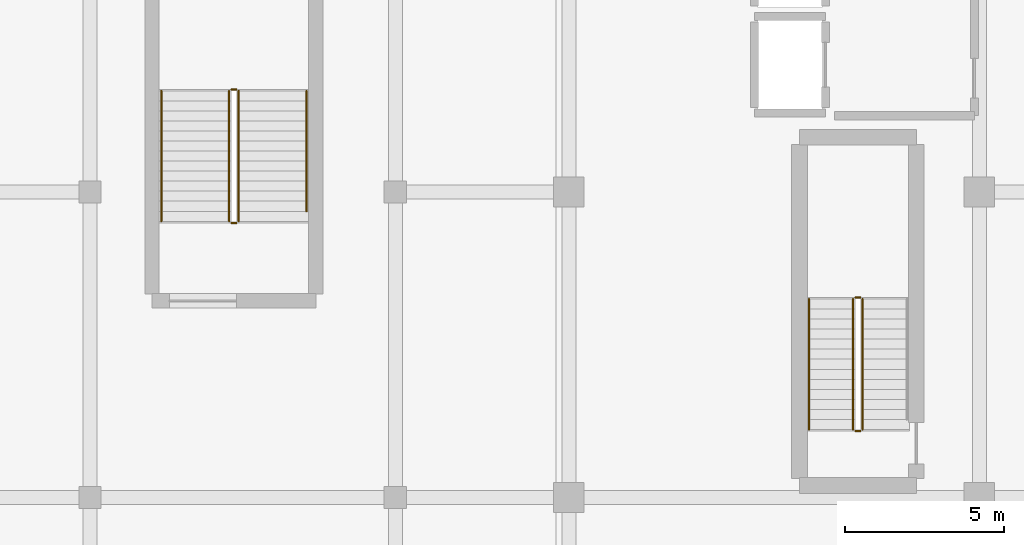
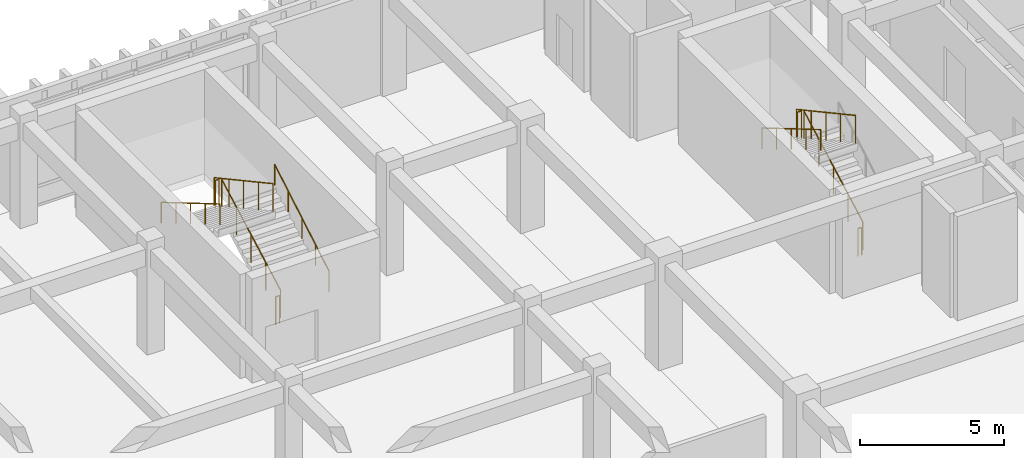
# One storey, part 130 of 133: 11 railings.
"""IFC4 building model written with IfcOpenShell, lengths in metres."""

from ifc_helpers import new_model, si_unit, direction, frame, origin, origin_2d, place, context, subcontext, project, spatial, circle, extrude, material, type_object, element, save


model = new_model("IFC4")

# Units and contexts
model_context = context("Model", 3, precision=1e-05, world=origin(), true_north=direction((0.0, 1.0)))
body_context = subcontext(model_context, "Body", "Model", "MODEL_VIEW")
ifc_project = project(units=[si_unit("LENGTHUNIT", "METRE"), si_unit("AREAUNIT", "SQUARE_METRE"), si_unit("VOLUMEUNIT", "CUBIC_METRE"), si_unit("PLANEANGLEUNIT", "RADIAN"), si_unit("MASSUNIT", "GRAM", prefix="KILO")], contexts=[model_context])

# Site, building, storey
site_placement = place(None, origin())
site = spatial("IfcSite", under=ifc_project, at=site_placement, CompositionType="ELEMENT")
building_placement = place(site_placement, origin())
building = spatial("IfcBuilding", under=site, at=building_placement, Name="Nakhvara Creek Congress Hotel", CompositionType="ELEMENT")
storey_placement = place(building_placement, frame((0.0, 0.0, 11.39990234375)))
storey = spatial("IfcBuildingStorey", under=building, at=storey_placement, Name="L02", CompositionType="ELEMENT", Elevation=11.39990234375)

# Railings
ifc_material = material(Name="Brushed stainless steel 316L", Category="steel")
railing_type_1 = type_object("IfcRailingType", Name="RL-GUARD-1200", PredefinedType="GUARDRAIL", material=ifc_material)
railing_1_placement = place(storey_placement, frame((158.68505859375, 78.93994140625, 0.171630859375)))
element("IfcRailing", 1, at=railing_1_placement, inside=storey, type_object=railing_type_1, Name="L02 ST01 stair guard 1", PredefinedType="GUARDRAIL", context=body_context, shape_type="SweptSolid", body=[
    extrude(circle(Radius=0.02392578125, at=origin_2d()), frame((0.0, 0.012939453125, 1.182861328125), z_axis=(0.0, 0.878355465225, 0.478008029963), x_axis=(-1.0, 0.0, 0.0)), (0.0, 0.0, 1.0), 4.6328125),
    extrude(circle(Radius=0.02099609375, at=origin_2d()), origin(), (0.0, 0.0, 1.0), 1.1806640625),
    extrude(circle(Radius=0.02099609375, at=origin_2d()), frame((0.0, 1.023681640625, 0.55712890625)), (0.0, 0.0, 1.0), 1.1806640625),
    extrude(circle(Radius=0.02099609375, at=origin_2d()), frame((0.0, 2.04736328125, 1.1142578125)), (0.0, 0.0, 1.0), 1.1806640625),
    extrude(circle(Radius=0.02099609375, at=origin_2d()), frame((0.0, 3.0712890625, 1.67138671875)), (0.0, 0.0, 1.0), 1.1806640625),
    extrude(circle(Radius=0.02099609375, at=origin_2d()), frame((0.0, 4.094970703125, 2.228515625)), (0.0, 0.0, 1.0), 1.1806640625),
])
railing_2_placement = place(storey_placement, frame((158.610107421875, 83.0849609375, 2.400146484375)))
element("IfcRailing", 2, at=railing_2_placement, inside=storey, type_object=railing_type_1, Name="L02 ST01 stair guard 2", PredefinedType="GUARDRAIL", context=body_context, shape_type="SweptSolid", body=[
    extrude(circle(Radius=0.02392578125, at=origin_2d()), frame((-0.0146484375, 0.0, 1.17578125), z_axis=(-1.0, 0.0, 0.0), x_axis=(0.0, -1.0, 0.0)), (0.0, 0.0, 1.0), 0.120849609375),
    extrude(circle(Radius=0.02099609375, at=origin_2d()), origin(), (0.0, 0.0, 1.0), 1.1806640625),
    extrude(circle(Radius=0.02099609375, at=origin_2d()), frame((-0.150146484375, 0.0, 0.0)), (0.0, 0.0, 1.0), 1.1806640625),
])
railing_3_placement = place(storey_placement, frame((158.385009765625, 83.034912109375, 2.571533203125)))
element("IfcRailing", 3, at=railing_3_placement, inside=storey, type_object=railing_type_1, Name="L02 ST01 stair guard 3", PredefinedType="GUARDRAIL", context=body_context, shape_type="SweptSolid", body=[
    extrude(circle(Radius=0.02392578125, at=origin_2d()), frame((0.0, -0.012939453125, 1.182861328125), z_axis=(0.0, -0.878355465225, 0.478008029963), x_axis=(1.0, 0.0, 0.0)), (0.0, 0.0, 1.0), 4.6328125),
    extrude(circle(Radius=0.02099609375, at=origin_2d()), origin(), (0.0, 0.0, 1.0), 1.1806640625),
    extrude(circle(Radius=0.02099609375, at=origin_2d()), frame((0.0, -1.023681640625, 0.55712890625)), (0.0, 0.0, 1.0), 1.1806640625),
    extrude(circle(Radius=0.02099609375, at=origin_2d()), frame((0.0, -2.04736328125, 1.1142578125)), (0.0, 0.0, 1.0), 1.1806640625),
    extrude(circle(Radius=0.02099609375, at=origin_2d()), frame((0.0, -3.0712890625, 1.67138671875)), (0.0, 0.0, 1.0), 1.1806640625),
    extrude(circle(Radius=0.02099609375, at=origin_2d()), frame((0.0, -4.094970703125, 2.228515625)), (0.0, 0.0, 1.0), 1.1806640625),
])
railing_4_placement = place(storey_placement, frame((158.610107421875, 78.889892578125, 0.0)))
element("IfcRailing", 4, at=railing_4_placement, inside=storey, type_object=railing_type_1, Name="L02 ST01 stair guard 4", PredefinedType="GUARDRAIL", context=body_context, shape_type="SweptSolid", body=[
    extrude(circle(Radius=0.02392578125, at=origin_2d()), frame((-0.0146484375, 0.0, 1.17578125), z_axis=(-1.0, 0.0, 0.0), x_axis=(0.0, -1.0, 0.0)), (0.0, 0.0, 1.0), 0.120849609375),
    extrude(circle(Radius=0.02099609375, at=origin_2d()), origin(), (0.0, 0.0, 1.0), 1.1806640625),
    extrude(circle(Radius=0.02099609375, at=origin_2d()), frame((-0.150146484375, 0.0, 0.0)), (0.0, 0.0, 1.0), 1.1806640625),
])
railing_5_placement = place(storey_placement, frame((139.074951171875, 85.47998046875, 0.171630859375)))
element("IfcRailing", 5, at=railing_5_placement, inside=storey, type_object=railing_type_1, Name="L02 ST10 stair guard 1", PredefinedType="GUARDRAIL", context=body_context, shape_type="SweptSolid", body=[
    extrude(circle(Radius=0.02392578125, at=origin_2d()), frame((0.0, 0.012939453125, 1.182861328125), z_axis=(0.0, 0.878355465225, 0.478008029963), x_axis=(-1.0, 0.0, 0.0)), (0.0, 0.0, 1.0), 4.6328125),
    extrude(circle(Radius=0.02099609375, at=origin_2d()), origin(), (0.0, 0.0, 1.0), 1.1806640625),
    extrude(circle(Radius=0.02099609375, at=origin_2d()), frame((0.0, 1.023681640625, 0.55712890625)), (0.0, 0.0, 1.0), 1.1806640625),
    extrude(circle(Radius=0.02099609375, at=origin_2d()), frame((0.0, 2.04736328125, 1.1142578125)), (0.0, 0.0, 1.0), 1.1806640625),
    extrude(circle(Radius=0.02099609375, at=origin_2d()), frame((0.0, 3.0712890625, 1.67138671875)), (0.0, 0.0, 1.0), 1.1806640625),
    extrude(circle(Radius=0.02099609375, at=origin_2d()), frame((0.0, 4.094970703125, 2.228515625)), (0.0, 0.0, 1.0), 1.1806640625),
])
railing_6_placement = place(storey_placement, frame((139.0, 89.625, 2.400146484375)))
element("IfcRailing", 6, at=railing_6_placement, inside=storey, type_object=railing_type_1, Name="L02 ST10 stair guard 2", PredefinedType="GUARDRAIL", context=body_context, shape_type="SweptSolid", body=[
    extrude(circle(Radius=0.02392578125, at=origin_2d()), frame((-0.0146484375, 0.0, 1.17578125), z_axis=(-1.0, 0.0, 0.0), x_axis=(0.0, -1.0, 0.0)), (0.0, 0.0, 1.0), 0.12060546875),
    extrude(circle(Radius=0.02099609375, at=origin_2d()), origin(), (0.0, 0.0, 1.0), 1.1806640625),
    extrude(circle(Radius=0.02099609375, at=origin_2d()), frame((-0.14990234375, 0.0, 0.0)), (0.0, 0.0, 1.0), 1.1806640625),
])
railing_7_placement = place(storey_placement, frame((138.77490234375, 89.574951171875, 2.571533203125)))
element("IfcRailing", 7, at=railing_7_placement, inside=storey, type_object=railing_type_1, Name="L02 ST10 stair guard 3", PredefinedType="GUARDRAIL", context=body_context, shape_type="SweptSolid", body=[
    extrude(circle(Radius=0.02392578125, at=origin_2d()), frame((0.0, -0.012939453125, 1.182861328125), z_axis=(0.0, -0.878355465225, 0.478008029963), x_axis=(1.0, 0.0, 0.0)), (0.0, 0.0, 1.0), 4.6328125),
    extrude(circle(Radius=0.02099609375, at=origin_2d()), origin(), (0.0, 0.0, 1.0), 1.1806640625),
    extrude(circle(Radius=0.02099609375, at=origin_2d()), frame((0.0, -1.023681640625, 0.55712890625)), (0.0, 0.0, 1.0), 1.1806640625),
    extrude(circle(Radius=0.02099609375, at=origin_2d()), frame((0.0, -2.04736328125, 1.1142578125)), (0.0, 0.0, 1.0), 1.1806640625),
    extrude(circle(Radius=0.02099609375, at=origin_2d()), frame((0.0, -3.0712890625, 1.67138671875)), (0.0, 0.0, 1.0), 1.1806640625),
    extrude(circle(Radius=0.02099609375, at=origin_2d()), frame((0.0, -4.094970703125, 2.228515625)), (0.0, 0.0, 1.0), 1.1806640625),
])
railing_8_placement = place(storey_placement, frame((139.0, 85.429931640625, 0.0)))
element("IfcRailing", 8, at=railing_8_placement, inside=storey, type_object=railing_type_1, Name="L02 ST10 stair guard 4", PredefinedType="GUARDRAIL", context=body_context, shape_type="SweptSolid", body=[
    extrude(circle(Radius=0.02392578125, at=origin_2d()), frame((-0.0146484375, 0.0, 1.17578125), z_axis=(-1.0, 0.0, 0.0), x_axis=(0.0, -1.0, 0.0)), (0.0, 0.0, 1.0), 0.12060546875),
    extrude(circle(Radius=0.02099609375, at=origin_2d()), origin(), (0.0, 0.0, 1.0), 1.1806640625),
    extrude(circle(Radius=0.02099609375, at=origin_2d()), frame((-0.14990234375, 0.0, 0.0)), (0.0, 0.0, 1.0), 1.1806640625),
])
railing_type_2 = type_object("IfcRailingType", Name="RL-HAND-900", PredefinedType="HANDRAIL", material=ifc_material)
railing_9_placement = place(storey_placement, frame((156.9951171875, 83.034912109375, 2.571533203125)))
element("IfcRailing", 9, at=railing_9_placement, inside=storey, type_object=railing_type_2, Name="L02 ST01 stair handrail 2", PredefinedType="HANDRAIL", context=body_context, shape_type="SweptSolid", body=[
    extrude(circle(Radius=0.02392578125, at=origin_2d()), frame((0.0, -0.0126953125, 0.88330078125), z_axis=(0.0, -0.861742646415, 0.507345652736), x_axis=(1.0, 0.0, 0.0)), (0.0, 0.0, 1.0), 4.72265625),
    extrude(circle(Radius=0.02099609375, at=origin_2d()), origin(), (0.0, 0.0, 1.0), 0.880615234375),
    extrude(circle(Radius=0.02099609375, at=origin_2d()), frame((0.0, -1.023681640625, 0.602783203125)), (0.0, 0.0, 1.0), 0.880615234375),
    extrude(circle(Radius=0.02099609375, at=origin_2d()), frame((0.0, -2.04736328125, 1.20556640625)), (0.0, 0.0, 1.0), 0.880615234375),
    extrude(circle(Radius=0.02099609375, at=origin_2d()), frame((0.0, -3.0712890625, 1.80810546875)), (0.0, 0.0, 1.0), 0.880615234375),
    extrude(circle(Radius=0.02099609375, at=origin_2d()), frame((0.0, -4.094970703125, 2.410888671875)), (0.0, 0.0, 1.0), 0.880615234375),
])
railing_10_placement = place(storey_placement, frame((141.205078125, 85.794921875, 0.343017578125)))
element("IfcRailing", 10, at=railing_10_placement, inside=storey, type_object=railing_type_2, Name="L02 ST10 stair handrail 1", PredefinedType="HANDRAIL", context=body_context, shape_type="SweptSolid", body=[
    extrude(circle(Radius=0.02392578125, at=origin_2d()), frame((0.0, 0.0126953125, 0.88330078125), z_axis=(0.0, 0.860342978037, 0.509715567883), x_axis=(-1.0, 0.0, 0.0)), (0.0, 0.0, 1.0), 4.3642578125),
    extrude(circle(Radius=0.02099609375, at=origin_2d()), origin(), (0.0, 0.0, 1.0), 0.880615234375),
    extrude(circle(Radius=0.02099609375, at=origin_2d()), frame((0.0, 0.945068359375, 0.559814453125)), (0.0, 0.0, 1.0), 0.880615234375),
    extrude(circle(Radius=0.02099609375, at=origin_2d()), frame((0.0, 1.89013671875, 1.11962890625)), (0.0, 0.0, 1.0), 0.880615234375),
    extrude(circle(Radius=0.02099609375, at=origin_2d()), frame((0.0, 2.8349609375, 1.6796875)), (0.0, 0.0, 1.0), 0.880615234375),
    extrude(circle(Radius=0.02099609375, at=origin_2d()), frame((0.0, 3.780029296875, 2.239501953125)), (0.0, 0.0, 1.0), 0.880615234375),
])
railing_11_placement = place(storey_placement, frame((136.64501953125, 89.574951171875, 2.571533203125)))
element("IfcRailing", 11, at=railing_11_placement, inside=storey, type_object=railing_type_2, Name="L02 ST10 stair handrail 2", PredefinedType="HANDRAIL", context=body_context, shape_type="SweptSolid", body=[
    extrude(circle(Radius=0.02392578125, at=origin_2d()), frame((0.0, -0.0126953125, 0.88330078125), z_axis=(0.0, -0.861742646415, 0.507345652736), x_axis=(1.0, 0.0, 0.0)), (0.0, 0.0, 1.0), 4.72265625),
    extrude(circle(Radius=0.02099609375, at=origin_2d()), origin(), (0.0, 0.0, 1.0), 0.880615234375),
    extrude(circle(Radius=0.02099609375, at=origin_2d()), frame((0.0, -1.023681640625, 0.602783203125)), (0.0, 0.0, 1.0), 0.880615234375),
    extrude(circle(Radius=0.02099609375, at=origin_2d()), frame((0.0, -2.04736328125, 1.20556640625)), (0.0, 0.0, 1.0), 0.880615234375),
    extrude(circle(Radius=0.02099609375, at=origin_2d()), frame((0.0, -3.0712890625, 1.80810546875)), (0.0, 0.0, 1.0), 0.880615234375),
    extrude(circle(Radius=0.02099609375, at=origin_2d()), frame((0.0, -4.094970703125, 2.410888671875)), (0.0, 0.0, 1.0), 0.880615234375),
])

save(model, "model.ifc")
